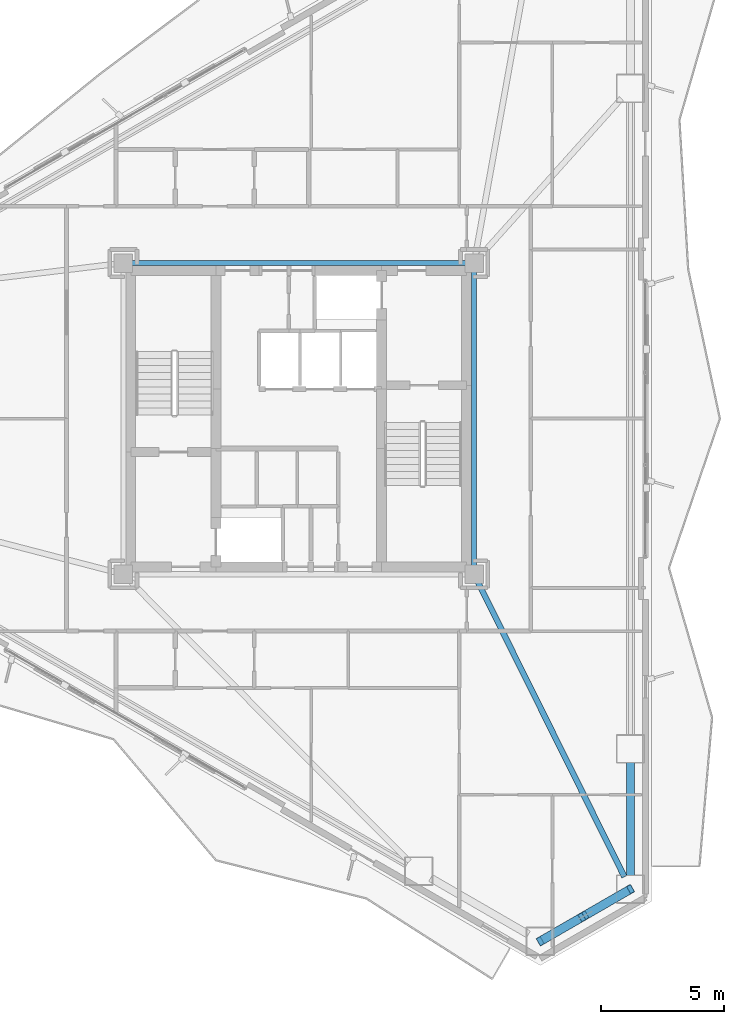
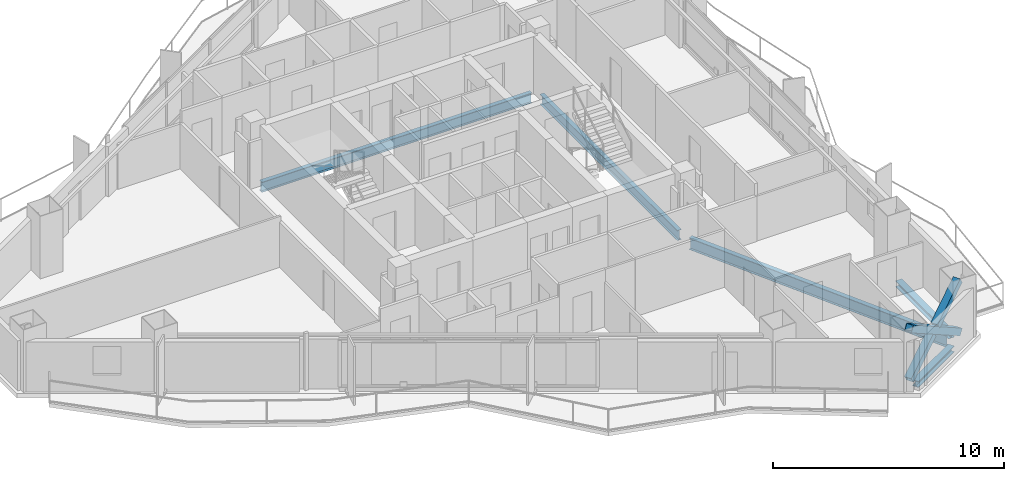
# One storey, part 7 of 22: 5 beams, 3 members.
"""IFC4 building model written with IfcOpenShell, lengths in metres."""

from ifc_helpers import new_model, si_unit, direction, frame, origin, origin_2d, place, context, subcontext, project, spatial, hollow_rectangle, i_section, extrude, material, material_profile, profile_set, type_object, element, save


model = new_model("IFC4")

# Units and contexts
model_context = context("Model", 3, precision=1e-05, world=origin(), true_north=direction((0.0, 1.0)))
body_context = subcontext(model_context, "Body", "Model", "MODEL_VIEW")
ifc_project = project(units=[si_unit("LENGTHUNIT", "METRE"), si_unit("AREAUNIT", "SQUARE_METRE"), si_unit("VOLUMEUNIT", "CUBIC_METRE"), si_unit("PLANEANGLEUNIT", "RADIAN"), si_unit("MASSUNIT", "GRAM", prefix="KILO")], contexts=[model_context])

# Site, building, storey
site_placement = place(None, origin())
site = spatial("IfcSite", under=ifc_project, at=site_placement, CompositionType="ELEMENT")
building_placement = place(site_placement, origin())
building = spatial("IfcBuilding", under=site, at=building_placement, Name="Mersakhor Tower and Convention Hall", CompositionType="ELEMENT")
storey_placement = place(building_placement, frame((0.0, 0.0, 113.10009765625)))
storey = spatial("IfcBuildingStorey", under=building, at=storey_placement, Name="L31", CompositionType="ELEMENT", Elevation=113.10009765625)

# Beams
ifc_material_1 = material(Name="Steel S355", Category="steel")
ifc_material_profile_1 = material_profile(ifc_material_1, i_section(OverallWidth=0.2099609375, OverallDepth=0.53662109375, WebThickness=0.0107421875, FlangeThickness=0.017333984375, at=origin_2d()), Name="UB 533x210x101")
ifc_profile_set_1 = profile_set([ifc_material_profile_1], Name="Steel S355")
beam_type_1 = type_object("IfcBeamType", Name="BM-FB-533", PredefinedType="BEAM", material=ifc_profile_set_1)
beam_1_placement = place(storey_placement, frame((22.2548828125, 33.050048828125, -0.5185546875), z_axis=(1.0, 0.0, 0.0), x_axis=(0.0, 1.0, 0.0)))
element("IfcBeam", 1, at=beam_1_placement, inside=storey, type_object=beam_type_1, Name="L31 Core Ring Tie Beam CRB-2", PredefinedType="BEAM", context=body_context, shape_type="SweptSolid", body=[
    extrude(i_section(OverallWidth=0.2099609375, OverallDepth=0.53662109375, WebThickness=0.0107421875, FlangeThickness=0.017333984375, at=origin_2d()), origin(), (0.0, 0.0, 1.0), 13.490234375),
])
beam_2_placement = place(storey_placement, frame((36.10009765625, 32.695068359375, -0.5185546875), z_axis=(0.0, -1.0, 0.0), x_axis=(1.0, 0.0, 0.0)))
element("IfcBeam", 2, at=beam_2_placement, inside=storey, type_object=beam_type_1, Name="L31 Core Ring Tie Beam CRB-3", PredefinedType="BEAM", context=body_context, shape_type="SweptSolid", body=[
    extrude(i_section(OverallWidth=0.2099609375, OverallDepth=0.53662109375, WebThickness=0.0107421875, FlangeThickness=0.017333984375, at=origin_2d()), origin(), (0.0, 0.0, 1.0), 11.89013671875),
])
ifc_material_2 = material(Name="Steel S355", Category="steel")
ifc_material_profile_2 = material_profile(ifc_material_2, i_section(OverallWidth=0.22900390625, OverallDepth=0.6123046875, WebThickness=0.011962890625, FlangeThickness=0.01953125, at=origin_2d()), Name="UB 610x229x125")
ifc_profile_set_2 = profile_set([ifc_material_profile_2], Name="Steel S355")
beam_type_2 = type_object("IfcBeamType", Name="BM-PR-610", PredefinedType="BEAM", material=ifc_profile_set_2)
beam_3_placement = place(storey_placement, frame((36.258056640625, 20.132080078125, -0.55615234375), z_axis=(0.444984263658, -0.895538388399, 0.0), x_axis=(0.895538388399, 0.444984263658, 0.0)))
element("IfcBeam", 3, at=beam_3_placement, inside=storey, type_object=beam_type_2, Name="L31 Primary Floor Girder FG-4", PredefinedType="BEAM", context=body_context, shape_type="SweptSolid", body=[
    extrude(i_section(OverallWidth=0.22900390625, OverallDepth=0.6123046875, WebThickness=0.011962890625, FlangeThickness=0.01953125, at=origin_2d()), origin(), (0.0, 0.0, 1.0), 13.324951171875),
])
ifc_material_3 = material(Name="Steel S355", Category="steel")
ifc_material_profile_3 = material_profile(ifc_material_3, i_section(OverallWidth=0.30908203125, OverallDepth=0.320556640625, WebThickness=0.013916015625, FlangeThickness=0.021728515625, at=origin_2d()), Name="UC 305x305x137")
ifc_profile_set_3 = profile_set([ifc_material_profile_3], Name="Steel S355")
beam_type_3 = type_object("IfcBeamType", Name="BM-SPD-UC305", PredefinedType="SPANDREL", material=ifc_profile_set_3)
beam_4_placement = place(storey_placement, frame((42.4345703125, 12.8232421875, -0.410400390625), z_axis=(0.0, -1.0, 0.0), x_axis=(1.0, 0.0, 0.0)))
element("IfcBeam", 4, at=beam_4_placement, inside=storey, type_object=beam_type_3, Name="L31 Perimeter Spandrel Beam SPB-07", PredefinedType="SPANDREL", context=body_context, shape_type="SweptSolid", body=[
    extrude(i_section(OverallWidth=0.30908203125, OverallDepth=0.320556640625, WebThickness=0.013916015625, FlangeThickness=0.021728515625, at=origin_2d()), origin(), (0.0, 0.0, 1.0), 4.566162109375),
])
beam_5_placement = place(storey_placement, frame((41.9541015625, 7.424560546875, -0.410400390625), z_axis=(-0.866052319632, -0.499953377486, 0.0), x_axis=(0.499953377486, -0.866052319632, 0.0)))
element("IfcBeam", 5, at=beam_5_placement, inside=storey, type_object=beam_type_3, Name="L31 Perimeter Spandrel Beam SPB-08", PredefinedType="SPANDREL", context=body_context, shape_type="SweptSolid", body=[
    extrude(i_section(OverallWidth=0.30908203125, OverallDepth=0.320556640625, WebThickness=0.013916015625, FlangeThickness=0.021728515625, at=origin_2d()), origin(), (0.0, 0.0, 1.0), 3.111572265625),
])

# Members
ifc_material_4 = material(Name="Steel S460", Category="steel")
ifc_material_profile_4 = material_profile(ifc_material_4, hollow_rectangle(XDim=0.35009765625, YDim=0.35009765625, WallThickness=0.02001953125, at=origin_2d()), Name="SHS 350x350x20")
ifc_profile_set_4 = profile_set([ifc_material_profile_4], Name="Steel S460")
member_type = type_object("IfcMemberType", Name="MB-BRC-SHS350", PredefinedType="BRACE", material=ifc_profile_set_4)
member_1_placement = place(storey_placement, frame((42.4345703125, 7.701904296875, 0.14990234375), z_axis=(-0.727993176614, -0.420295245881, 0.5416436477), x_axis=(0.49998946241, -0.866031487579, 0.0)))
element("IfcMember", 6, at=member_1_placement, inside=storey, type_object=member_type, Name="L31 Chamfer Braced Frame Diagonal CB-2A", PredefinedType="BRACE", context=body_context, shape_type="SweptSolid", body=[
    extrude(hollow_rectangle(XDim=0.35009765625, YDim=0.35009765625, WallThickness=0.02001953125, at=origin_2d()), origin(), (0.0, 0.0, 1.0), 5.021728515625),
])
member_2_placement = place(storey_placement, frame((38.77880859375, 5.59130859375, 0.14990234375), z_axis=(0.727959329787, 0.420293499839, 0.54169049112), x_axis=(-0.500005339912, 0.866022320763, 0.0)))
element("IfcMember", 7, at=member_2_placement, inside=storey, type_object=member_type, Name="L31 Chamfer Braced Frame Diagonal CB-2B Lower Half", PredefinedType="BRACE", context=body_context, shape_type="SweptSolid", body=[
    extrude(hollow_rectangle(XDim=0.35009765625, YDim=0.35009765625, WallThickness=0.02001953125, at=origin_2d()), origin(), (0.0, 0.0, 1.0), 2.310791015625),
])
member_3_placement = place(storey_placement, frame((40.75244140625, 6.730712890625, 1.618408203125), z_axis=(0.728000991886, 0.420317553806, 0.54161583228), x_axis=(-0.500005339912, 0.866022320763, 0.0)))
element("IfcMember", 8, at=member_3_placement, inside=storey, type_object=member_type, Name="L31 Chamfer Braced Frame Diagonal CB-2B Upper Half", PredefinedType="BRACE", context=body_context, shape_type="SweptSolid", body=[
    extrude(hollow_rectangle(XDim=0.35009765625, YDim=0.35009765625, WallThickness=0.02001953125, at=origin_2d()), origin(), (0.0, 0.0, 1.0), 2.310546875),
])

save(model, "model.ifc")
